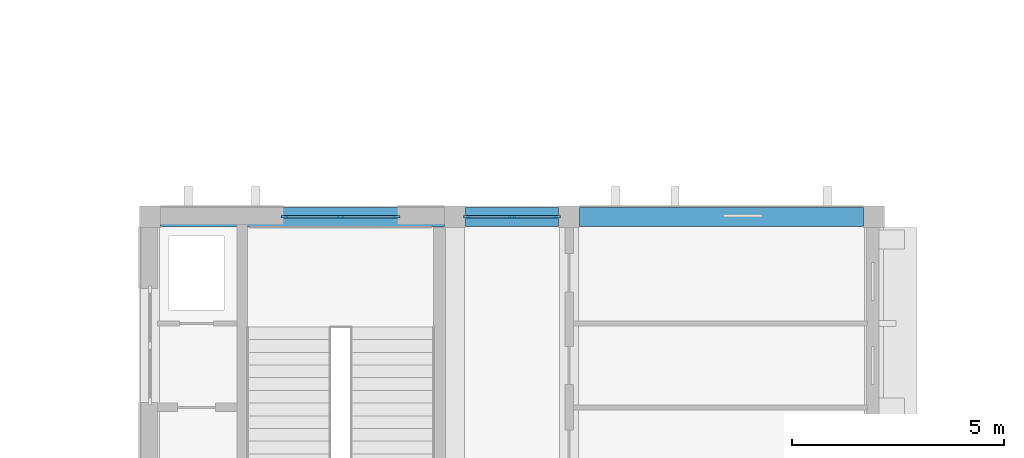
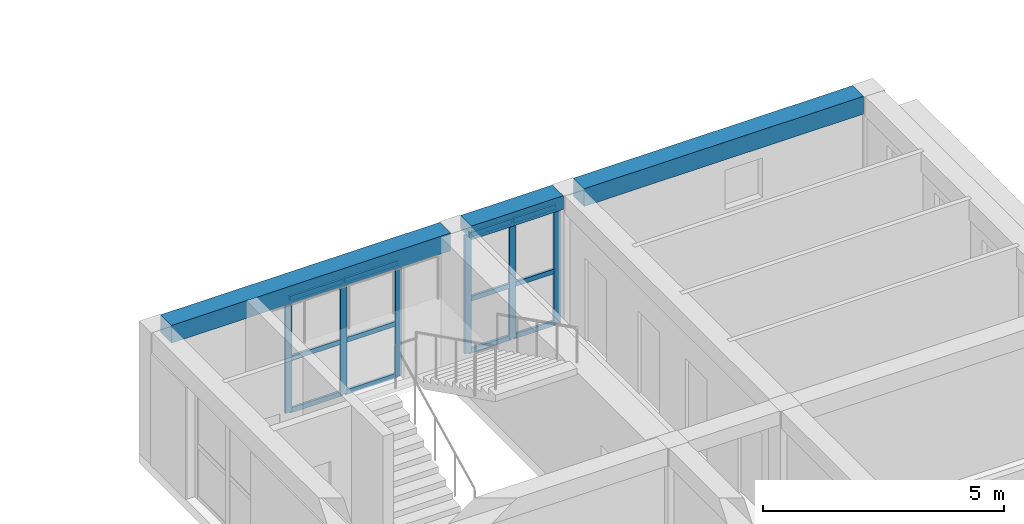
# One storey, part 23 of 82: 18 members, 3 beams, 2 elements without a shape of their own.
"""IFC4 building model written with IfcOpenShell, lengths in metres."""

from ifc_helpers import new_model, si_unit, direction, frame, origin, origin_2d, place, context, subcontext, project, spatial, rectangle, extrude, material, layer, layer_set, material_profile, profile_set, type_object, element, aggregate, save


model = new_model("IFC4")

# Units and contexts
model_context = context("Model", 3, precision=1e-05, world=origin(), true_north=direction((0.0, 1.0)))
body_context = subcontext(model_context, "Body", "Model", "MODEL_VIEW")
ifc_project = project(units=[si_unit("LENGTHUNIT", "METRE"), si_unit("AREAUNIT", "SQUARE_METRE"), si_unit("VOLUMEUNIT", "CUBIC_METRE"), si_unit("PLANEANGLEUNIT", "RADIAN"), si_unit("MASSUNIT", "GRAM", prefix="KILO")], contexts=[model_context])

# Site, building, storey
site_placement = place(None, origin())
site = spatial("IfcSite", under=ifc_project, at=site_placement, CompositionType="ELEMENT")
building_placement = place(site_placement, origin())
building = spatial("IfcBuilding", under=site, at=building_placement, Name="Elbe Cascade School", CompositionType="ELEMENT")
storey_placement = place(building_placement, frame((0.0, 0.0, 4.5)))
storey = spatial("IfcBuildingStorey", under=building, at=storey_placement, Name="L01", CompositionType="ELEMENT", Elevation=4.5)

# Curtain wall, members
ifc_material_1 = material(Name="Aluminium frame with double glazing, bronze anodised", Category="aluminium")
ifc_layer = layer(ifc_material_1, 0.159912109375)
ifc_layer_set = layer_set([ifc_layer], Name="Aluminium frame with double glazing, bronze anodised")
curtain_wall_type = type_object("IfcCurtainWallType", Name="Bars envelope Curtain wall, aluminium, bronze anodised, storey-high slot", PredefinedType="NOTDEFINED", material=ifc_layer_set)
curtain_wall_1_placement = place(storey_placement, origin())
curtain_wall_1 = element("IfcCurtainWall", 1, at=curtain_wall_1_placement, inside=storey, type_object=curtain_wall_type, Name="Curtain wall CW4 B.L01.n1", PredefinedType="NOTDEFINED")
ifc_material_2 = material(Name="Aluminium mullion, bronze anodised", Category="aluminium")
ifc_material_profile_1 = material_profile(ifc_material_2, rectangle(XDim=0.06005859375, YDim=0.159912109375, at=origin_2d()), Name="Bars envelope Curtain wall mullion 60 x 160, aluminium, storey-high slot")
ifc_profile_set_1 = profile_set([ifc_material_profile_1], Name="Aluminium mullion, bronze anodised")
member_type_1 = type_object("IfcMemberType", Name="Bars envelope Curtain wall mullion 60 x 160, aluminium, storey-high slot", PredefinedType="MULLION", material=ifc_profile_set_1)
member_1_placement = place(storey_placement, frame((101.780029296875, 60.0, 0.0), z_axis=(0.0, 0.0, 1.0), x_axis=(0.0, 1.0, 0.0)))
member_1 = element("IfcMember", 2, at=member_1_placement, type_object=member_type_1, Name="CW4 mullion 1", PredefinedType="MULLION", context=body_context, shape_type="SweptSolid", body=[
    extrude(rectangle(XDim=0.06005859375, YDim=0.159912109375, at=origin_2d()), origin(), (0.0, 0.0, 1.0), 2.89990234375),
])
member_2_placement = place(storey_placement, frame((103.10009765625, 60.0, 0.0), z_axis=(0.0, 0.0, 1.0), x_axis=(0.0, 1.0, 0.0)))
member_2 = element("IfcMember", 3, at=member_2_placement, type_object=member_type_1, Name="CW4 mullion 2", PredefinedType="MULLION", context=body_context, shape_type="SweptSolid", body=[
    extrude(rectangle(XDim=0.06005859375, YDim=0.159912109375, at=origin_2d()), origin(), (0.0, 0.0, 1.0), 2.89990234375),
])
member_3_placement = place(storey_placement, frame((104.419921875, 60.0, 0.0), z_axis=(0.0, 0.0, 1.0), x_axis=(0.0, 1.0, 0.0)))
member_3 = element("IfcMember", 4, at=member_3_placement, type_object=member_type_1, Name="CW4 mullion 3", PredefinedType="MULLION", context=body_context, shape_type="SweptSolid", body=[
    extrude(rectangle(XDim=0.06005859375, YDim=0.159912109375, at=origin_2d()), origin(), (0.0, 0.0, 1.0), 2.89990234375),
])

curtain_wall_2_placement = place(storey_placement, origin())
curtain_wall_2 = element("IfcCurtainWall", 5, at=curtain_wall_2_placement, inside=storey, type_object=curtain_wall_type, Name="Curtain wall CW4 B.L01.n2", PredefinedType="NOTDEFINED")
member_4_placement = place(storey_placement, frame((106.080078125, 60.0, 0.0), z_axis=(0.0, 0.0, 1.0), x_axis=(0.0, 1.0, 0.0)))
member_4 = element("IfcMember", 6, at=member_4_placement, type_object=member_type_1, Name="CW4 mullion 1", PredefinedType="MULLION", context=body_context, shape_type="SweptSolid", body=[
    extrude(rectangle(XDim=0.06005859375, YDim=0.159912109375, at=origin_2d()), origin(), (0.0, 0.0, 1.0), 3.0),
])
member_5_placement = place(storey_placement, frame((107.14990234375, 60.0, 0.0), z_axis=(0.0, 0.0, 1.0), x_axis=(0.0, 1.0, 0.0)))
member_5 = element("IfcMember", 7, at=member_5_placement, type_object=member_type_1, Name="CW4 mullion 2", PredefinedType="MULLION", context=body_context, shape_type="SweptSolid", body=[
    extrude(rectangle(XDim=0.06005859375, YDim=0.159912109375, at=origin_2d()), origin(), (0.0, 0.0, 1.0), 3.0),
])
member_6_placement = place(storey_placement, frame((108.219970703125, 60.0, 0.0), z_axis=(0.0, 0.0, 1.0), x_axis=(0.0, 1.0, 0.0)))
member_6 = element("IfcMember", 8, at=member_6_placement, type_object=member_type_1, Name="CW4 mullion 3", PredefinedType="MULLION", context=body_context, shape_type="SweptSolid", body=[
    extrude(rectangle(XDim=0.06005859375, YDim=0.159912109375, at=origin_2d()), origin(), (0.0, 0.0, 1.0), 3.0),
])

# Member
ifc_material_3 = material(Name="Aluminium transom, bronze anodised", Category="aluminium")
ifc_material_profile_2 = material_profile(ifc_material_3, rectangle(XDim=0.06005859375, YDim=0.1201171875, at=origin_2d()), Name="Bars envelope Curtain wall transom 60 x 120, aluminium, storey-high slot")
ifc_profile_set_2 = profile_set([ifc_material_profile_2], Name="Aluminium transom, bronze anodised")
member_type_2 = type_object("IfcMemberType", Name="Bars envelope Curtain wall transom 60 x 120, aluminium, storey-high slot", PredefinedType="USERDEFINED", material=ifc_profile_set_2)
member_7_placement = place(storey_placement, frame((101.81005859375, 60.0, 0.030029296875), z_axis=(1.0, 0.0, 0.0), x_axis=(0.0, 1.0, 0.0)))
member_7 = element("IfcMember", 9, at=member_7_placement, type_object=member_type_2, Name="CW4 transom 1.1", ObjectType="TRANSOM", PredefinedType="USERDEFINED", context=body_context, shape_type="SweptSolid", body=[
    extrude(rectangle(XDim=0.06005859375, YDim=0.1201171875, at=origin_2d()), origin(), (0.0, 0.0, 1.0), 1.260009765625),
])

member_8_placement = place(storey_placement, frame((101.81005859375, 60.0, 1.35009765625), z_axis=(1.0, 0.0, 0.0), x_axis=(0.0, 1.0, 0.0)))
member_8 = element("IfcMember", 10, at=member_8_placement, type_object=member_type_2, Name="CW4 transom 1.2", ObjectType="TRANSOM", PredefinedType="USERDEFINED", context=body_context, shape_type="SweptSolid", body=[
    extrude(rectangle(XDim=0.06005859375, YDim=0.1201171875, at=origin_2d()), origin(), (0.0, 0.0, 1.0), 1.260009765625),
])

member_9_placement = place(storey_placement, frame((101.81005859375, 60.0, 2.8701171875), z_axis=(1.0, 0.0, 0.0), x_axis=(0.0, 1.0, 0.0)))
member_9 = element("IfcMember", 11, at=member_9_placement, type_object=member_type_2, Name="CW4 transom 1.3", ObjectType="TRANSOM", PredefinedType="USERDEFINED", context=body_context, shape_type="SweptSolid", body=[
    extrude(rectangle(XDim=0.06005859375, YDim=0.1201171875, at=origin_2d()), origin(), (0.0, 0.0, 1.0), 1.260009765625),
])

member_10_placement = place(storey_placement, frame((103.1298828125, 60.0, 0.030029296875), z_axis=(1.0, 0.0, 0.0), x_axis=(0.0, 1.0, 0.0)))
member_10 = element("IfcMember", 12, at=member_10_placement, type_object=member_type_2, Name="CW4 transom 2.1", ObjectType="TRANSOM", PredefinedType="USERDEFINED", context=body_context, shape_type="SweptSolid", body=[
    extrude(rectangle(XDim=0.06005859375, YDim=0.1201171875, at=origin_2d()), origin(), (0.0, 0.0, 1.0), 1.260009765625),
])

member_11_placement = place(storey_placement, frame((103.1298828125, 60.0, 1.35009765625), z_axis=(1.0, 0.0, 0.0), x_axis=(0.0, 1.0, 0.0)))
member_11 = element("IfcMember", 13, at=member_11_placement, type_object=member_type_2, Name="CW4 transom 2.2", ObjectType="TRANSOM", PredefinedType="USERDEFINED", context=body_context, shape_type="SweptSolid", body=[
    extrude(rectangle(XDim=0.06005859375, YDim=0.1201171875, at=origin_2d()), origin(), (0.0, 0.0, 1.0), 1.260009765625),
])

member_12_placement = place(storey_placement, frame((103.1298828125, 60.0, 2.8701171875), z_axis=(1.0, 0.0, 0.0), x_axis=(0.0, 1.0, 0.0)))
member_12 = element("IfcMember", 14, at=member_12_placement, type_object=member_type_2, Name="CW4 transom 2.3", ObjectType="TRANSOM", PredefinedType="USERDEFINED", context=body_context, shape_type="SweptSolid", body=[
    extrude(rectangle(XDim=0.06005859375, YDim=0.1201171875, at=origin_2d()), origin(), (0.0, 0.0, 1.0), 1.260009765625),
])

aggregate(curtain_wall_1, [member_1, member_2, member_3, member_7, member_8, member_9, member_10, member_11, member_12])

member_13_placement = place(storey_placement, frame((106.110107421875, 60.0, 0.030029296875), z_axis=(1.0, 0.0, 0.0), x_axis=(0.0, 1.0, 0.0)))
member_13 = element("IfcMember", 15, at=member_13_placement, type_object=member_type_2, Name="CW4 transom 1.1", ObjectType="TRANSOM", PredefinedType="USERDEFINED", context=body_context, shape_type="SweptSolid", body=[
    extrude(rectangle(XDim=0.06005859375, YDim=0.1201171875, at=origin_2d()), origin(), (0.0, 0.0, 1.0), 1.010009765625),
])

member_14_placement = place(storey_placement, frame((106.110107421875, 60.0, 1.35009765625), z_axis=(1.0, 0.0, 0.0), x_axis=(0.0, 1.0, 0.0)))
member_14 = element("IfcMember", 16, at=member_14_placement, type_object=member_type_2, Name="CW4 transom 1.2", ObjectType="TRANSOM", PredefinedType="USERDEFINED", context=body_context, shape_type="SweptSolid", body=[
    extrude(rectangle(XDim=0.06005859375, YDim=0.1201171875, at=origin_2d()), origin(), (0.0, 0.0, 1.0), 1.010009765625),
])

member_15_placement = place(storey_placement, frame((106.110107421875, 60.0, 2.969970703125), z_axis=(1.0, 0.0, 0.0), x_axis=(0.0, 1.0, 0.0)))
member_15 = element("IfcMember", 17, at=member_15_placement, type_object=member_type_2, Name="CW4 transom 1.3", ObjectType="TRANSOM", PredefinedType="USERDEFINED", context=body_context, shape_type="SweptSolid", body=[
    extrude(rectangle(XDim=0.06005859375, YDim=0.1201171875, at=origin_2d()), origin(), (0.0, 0.0, 1.0), 1.010009765625),
])

member_16_placement = place(storey_placement, frame((107.179931640625, 60.0, 0.030029296875), z_axis=(1.0, 0.0, 0.0), x_axis=(0.0, 1.0, 0.0)))
member_16 = element("IfcMember", 18, at=member_16_placement, type_object=member_type_2, Name="CW4 transom 2.1", ObjectType="TRANSOM", PredefinedType="USERDEFINED", context=body_context, shape_type="SweptSolid", body=[
    extrude(rectangle(XDim=0.06005859375, YDim=0.1201171875, at=origin_2d()), origin(), (0.0, 0.0, 1.0), 1.010009765625),
])

member_17_placement = place(storey_placement, frame((107.179931640625, 60.0, 1.35009765625), z_axis=(1.0, 0.0, 0.0), x_axis=(0.0, 1.0, 0.0)))
member_17 = element("IfcMember", 19, at=member_17_placement, type_object=member_type_2, Name="CW4 transom 2.2", ObjectType="TRANSOM", PredefinedType="USERDEFINED", context=body_context, shape_type="SweptSolid", body=[
    extrude(rectangle(XDim=0.06005859375, YDim=0.1201171875, at=origin_2d()), origin(), (0.0, 0.0, 1.0), 1.010009765625),
])

member_18_placement = place(storey_placement, frame((107.179931640625, 60.0, 2.969970703125), z_axis=(1.0, 0.0, 0.0), x_axis=(0.0, 1.0, 0.0)))
member_18 = element("IfcMember", 20, at=member_18_placement, type_object=member_type_2, Name="CW4 transom 2.3", ObjectType="TRANSOM", PredefinedType="USERDEFINED", context=body_context, shape_type="SweptSolid", body=[
    extrude(rectangle(XDim=0.06005859375, YDim=0.1201171875, at=origin_2d()), origin(), (0.0, 0.0, 1.0), 1.010009765625),
])

aggregate(curtain_wall_2, [member_4, member_5, member_6, member_13, member_14, member_15, member_16, member_17, member_18])

# Beams
ifc_material_4 = material(Name="Concrete C30/37", Category="concrete")
ifc_material_profile_3 = material_profile(ifc_material_4, rectangle(XDim=0.449951171875, YDim=0.35009765625, at=origin_2d()), Name="RC 450x350")
ifc_profile_set_3 = profile_set([ifc_material_profile_3], Name="Concrete C30/37")
beam_type_1 = type_object("IfcBeamType", Name="RC 450x350 beam", PredefinedType="BEAM", material=ifc_profile_set_3)
beam_placement = place(storey_placement, frame((106.050048828125, 60.0, 3.175048828125), z_axis=(1.0, 0.0, 0.0), x_axis=(0.0, 1.0, 0.0)))
element("IfcBeam", 21, at=beam_placement, inside=storey, type_object=beam_type_1, Name="RC 450x350 beam B11", PredefinedType="BEAM", context=body_context, shape_type="SweptSolid", body=[
    extrude(rectangle(XDim=0.449951171875, YDim=0.35009765625, at=origin_2d()), origin(), (0.0, 0.0, 1.0), 2.199951171875),
])
ifc_material_5 = material(Name="Concrete C30/37", Category="concrete")
ifc_material_profile_4 = material_profile(ifc_material_5, rectangle(XDim=0.449951171875, YDim=0.449951171875, at=origin_2d()), Name="RC 450x450")
ifc_profile_set_4 = profile_set([ifc_material_profile_4], Name="Concrete C30/37")
beam_type_2 = type_object("IfcBeamType", Name="RC 450x450 beam", PredefinedType="BEAM", material=ifc_profile_set_4)
for number, where, z_axis, x_axis, name in (
    (22, (98.85009765625, 60.0, 3.125), (1.0, 0.0, 0.0), (0.0, 1.0, 0.0), "RC 450x450 beam B10"),
    (23, (108.75, 60.0, 3.125), (1.0, 0.0, 0.0), (0.0, 1.0, 0.0), "RC 450x450 beam B10"),
):
    element("IfcBeam", number, at=place(storey_placement, frame(where, z_axis=z_axis, x_axis=x_axis)), inside=storey, type_object=beam_type_2, Name=name, PredefinedType="BEAM", context=body_context, shape_type="SweptSolid", body=[
        extrude(rectangle(XDim=0.449951171875, YDim=0.449951171875, at=origin_2d()), origin(), (0.0, 0.0, 1.0), 6.699951171875),
    ])

save(model, "model.ifc")
